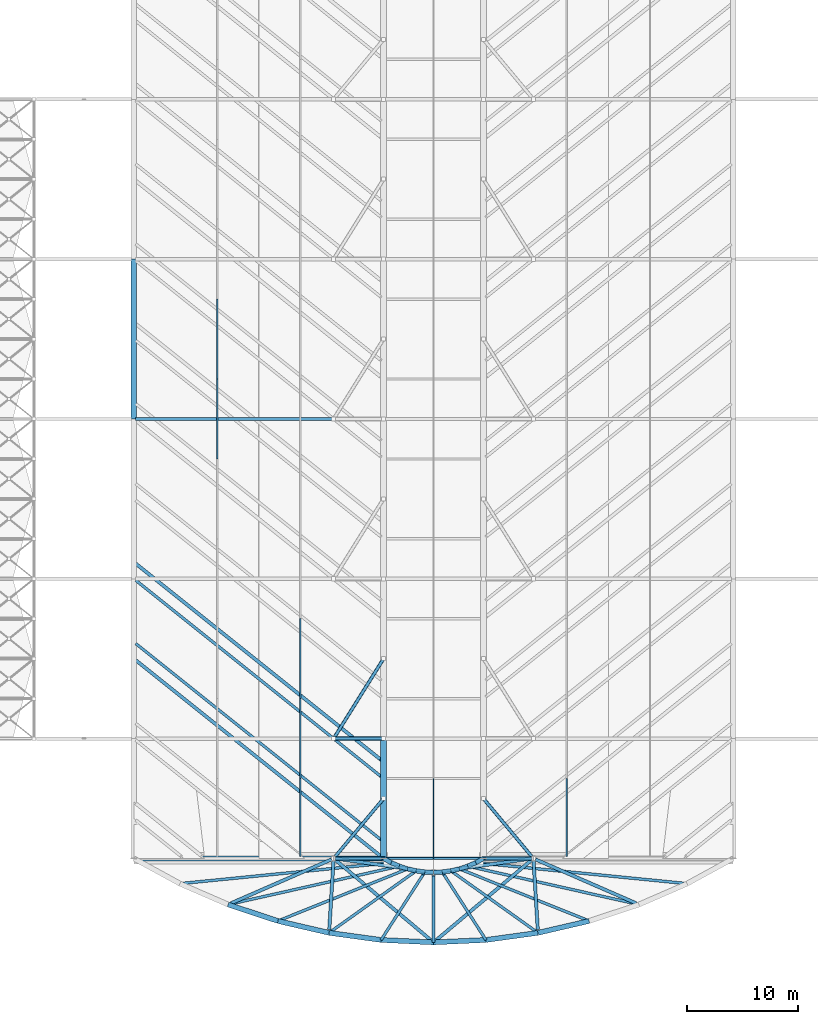
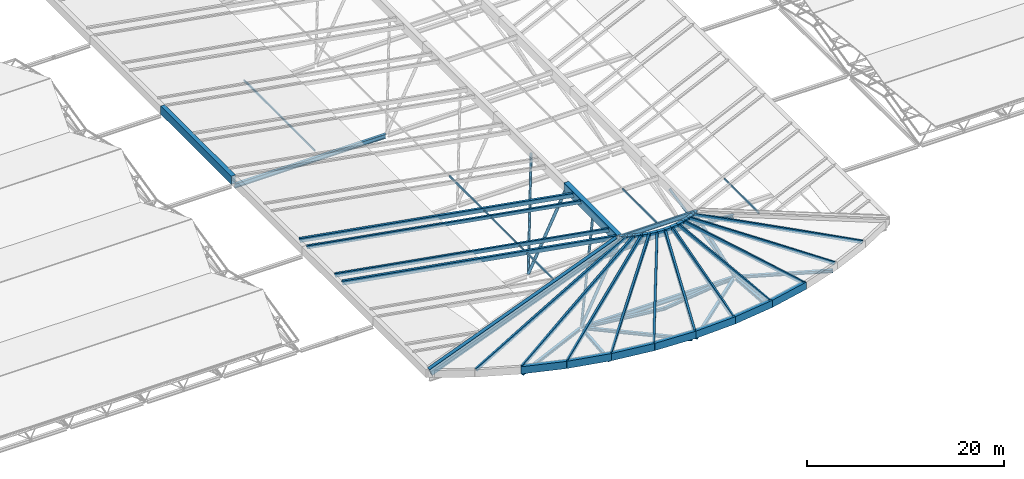
# One storey, part 21 of 110: 50 beams, 13 members.
"""IFC4 building model written with IfcOpenShell, lengths in metres."""

from ifc_helpers import new_model, si_unit, direction, frame, origin, origin_2d, place, context, subcontext, project, spatial, hollow_rectangle, hollow_circle, i_section, extrude, material, material_profile, profile_set, type_object, element, save


model = new_model("IFC4")

# Units and contexts
model_context = context("Model", 3, precision=1e-05, world=origin(), true_north=direction((0.0, 1.0)))
body_context = subcontext(model_context, "Body", "Model", "MODEL_VIEW")
ifc_project = project(units=[si_unit("LENGTHUNIT", "METRE"), si_unit("AREAUNIT", "SQUARE_METRE"), si_unit("VOLUMEUNIT", "CUBIC_METRE"), si_unit("PLANEANGLEUNIT", "RADIAN"), si_unit("MASSUNIT", "GRAM", prefix="KILO")], contexts=[model_context])

# Site, building, storey
site_placement = place(None, origin())
site = spatial("IfcSite", under=ifc_project, at=site_placement, CompositionType="ELEMENT")
building_placement = place(site_placement, origin())
building = spatial("IfcBuilding", under=site, at=building_placement, Name="Tamarisk Ironworks Central Station", CompositionType="ELEMENT")
storey_placement = place(building_placement, frame((0.0, 0.0, 17.39990234375)))
storey = spatial("IfcBuildingStorey", under=building, at=storey_placement, Name="L03", CompositionType="ELEMENT", Elevation=17.39990234375)

# Beams
ifc_material_1 = material(Name="Painted structural steel S355J2", Category="steel")
ifc_material_profile_1 = material_profile(ifc_material_1, hollow_rectangle(XDim=0.5, YDim=1.0, WallThickness=0.02197265625, at=origin_2d()), Name="BOX 500x1000x22")
ifc_profile_set_1 = profile_set([ifc_material_profile_1], Name="Painted structural steel S355J2")
beam_type_1 = type_object("IfcBeamType", Name="BM-EG01", PredefinedType="USERDEFINED", material=ifc_profile_set_1)
beam_1_placement = place(storey_placement, frame((54.0, 50.39990234375, -1.099853515625), z_axis=(0.0, 1.0, 0.0), x_axis=(-1.0, 0.0, 0.0)))
element("IfcBeam", 1, at=beam_1_placement, inside=storey, type_object=beam_type_1, Name="Concourse straight white eave girder W-004", ObjectType="TRANSFER GIRDER", PredefinedType="USERDEFINED", context=body_context, shape_type="SweptSolid", body=[
    extrude(hollow_rectangle(XDim=0.5, YDim=1.0, WallThickness=0.02197265625, at=origin_2d()), origin(), (0.0, 0.0, 1.0), 14.400146484375),
])
ifc_material_profile_2 = material_profile(ifc_material_1, hollow_rectangle(XDim=0.300048828125, YDim=0.5, WallThickness=0.02001953125, at=origin_2d()), Name="RHS 500x300x20")
ifc_profile_set_2 = profile_set([ifc_material_profile_2], Name="Painted structural steel S355J2")
beam_type_2 = type_object("IfcBeamType", Name="BM-FR01", PredefinedType="USERDEFINED", material=ifc_profile_set_2)
for number, where, z_axis, x_axis, name in (
    (2, (76.25, 11.0, 7.873291015625), (-0.746812720906, 0.597456799313, -0.292089254932), (-0.624699269839, -0.780865431597, 0.0), "Concourse paired 45-degree white fishbone roof rib 0121"),
    (3, (76.25, 19.699951171875, 7.873291015625), (-0.746812720906, 0.597456799313, -0.292089254932), (-0.624699269839, -0.780865431597, 0.0), "Concourse paired 45-degree white fishbone roof rib 0127"),
):
    element("IfcBeam", number, at=place(storey_placement, frame(where, z_axis=z_axis, x_axis=x_axis)), inside=storey, type_object=beam_type_2, Name=name, ObjectType="FISHBONE ROOF RIB", PredefinedType="USERDEFINED", context=body_context, shape_type="SweptSolid", body=[
        extrude(hollow_rectangle(XDim=0.300048828125, YDim=0.5, WallThickness=0.02001953125, at=origin_2d()), origin(), (0.0, 0.0, 1.0), 29.491943359375),
    ])
ifc_material_profile_3 = material_profile(ifc_material_1, hollow_rectangle(XDim=0.25, YDim=0.449951171875, WallThickness=0.01611328125, at=origin_2d()), Name="RHS 450x250x16")
ifc_profile_set_3 = profile_set([ifc_material_profile_3], Name="Painted structural steel S355J2")
beam_type_3 = type_object("IfcBeamType", Name="BM-FR02", PredefinedType="USERDEFINED", material=ifc_profile_set_3)
beam_2_placement = place(storey_placement, frame((76.25, 12.5, 7.897216796875), z_axis=(-0.746812720906, 0.597456799313, -0.292089254932), x_axis=(-0.624699269839, -0.780865431597, 0.0)))
element("IfcBeam", 4, at=beam_2_placement, inside=storey, type_object=beam_type_3, Name="Concourse paired 45-degree white fishbone roof rib 0123", ObjectType="FISHBONE ROOF RIB", PredefinedType="USERDEFINED", context=body_context, shape_type="SweptSolid", body=[
    extrude(hollow_rectangle(XDim=0.25, YDim=0.449951171875, WallThickness=0.01611328125, at=origin_2d()), origin(), (0.0, 0.0, 1.0), 29.491943359375),
])
ifc_material_profile_4 = material_profile(ifc_material_1, hollow_rectangle(XDim=0.25, YDim=0.39990234375, WallThickness=0.01611328125, at=origin_2d()), Name="RHS 400x250x16")
ifc_profile_set_4 = profile_set([ifc_material_profile_4], Name="Painted structural steel S355J2")
beam_type_4 = type_object("IfcBeamType", Name="BM-FR03", PredefinedType="USERDEFINED", material=ifc_profile_set_4)
beam_3_placement = place(storey_placement, frame((76.25, 18.199951171875, 7.9208984375), z_axis=(-0.746814526668, 0.597458243939, -0.292081682936), x_axis=(-0.624699269839, -0.780865431597, 0.0)))
element("IfcBeam", 5, at=beam_3_placement, inside=storey, type_object=beam_type_4, Name="Concourse paired 45-degree white fishbone roof rib 0125", ObjectType="FISHBONE ROOF RIB", PredefinedType="USERDEFINED", context=body_context, shape_type="SweptSolid", body=[
    extrude(hollow_rectangle(XDim=0.25, YDim=0.39990234375, WallThickness=0.01611328125, at=origin_2d()), origin(), (0.0, 0.0, 1.0), 29.49169921875),
])
beam_4_placement = place(storey_placement, frame((77.04248046875, 10.406982421875, 7.97998046875), z_axis=(-0.901565860441, -0.089542413164, -0.423274326569), x_axis=(0.098832514368, -0.995104082046, 0.0)))
element("IfcBeam", 6, at=beam_4_placement, inside=storey, type_object=beam_type_4, Name="SOUTH rounded nose radial white rib 02", ObjectType="FISHBONE ROOF RIB", PredefinedType="USERDEFINED", context=body_context, shape_type="SweptSolid", body=[
    extrude(hollow_rectangle(XDim=0.25, YDim=0.39990234375, WallThickness=0.01611328125, at=origin_2d()), origin(), (0.0, 0.0, 1.0), 20.789794921875),
])
beam_5_placement = place(storey_placement, frame((77.768310546875, 10.0751953125, 7.97998046875), z_axis=(-0.848656875384, -0.190391586821, -0.493490173693), x_axis=(0.218903462563, -0.975746521428, 0.0)))
element("IfcBeam", 7, at=beam_5_placement, inside=storey, type_object=beam_type_4, Name="SOUTH rounded nose radial white rib 03", ObjectType="FISHBONE ROOF RIB", PredefinedType="USERDEFINED", context=body_context, shape_type="SweptSolid", body=[
    extrude(hollow_rectangle(XDim=0.25, YDim=0.39990234375, WallThickness=0.01611328125, at=origin_2d()), origin(), (0.0, 0.0, 1.0), 17.831787109375),
])
beam_6_placement = place(storey_placement, frame((78.5244140625, 9.80517578125, 7.97998046875), z_axis=(-0.75444737931, -0.30317117137, -0.582148084857), x_axis=(0.372866304378, -0.927885078584, 0.0)))
element("IfcBeam", 8, at=beam_6_placement, inside=storey, type_object=beam_type_4, Name="SOUTH rounded nose radial white rib 04", ObjectType="FISHBONE ROOF RIB", PredefinedType="USERDEFINED", context=body_context, shape_type="SweptSolid", body=[
    extrude(hollow_rectangle(XDim=0.25, YDim=0.39990234375, WallThickness=0.01611328125, at=origin_2d()), origin(), (0.0, 0.0, 1.0), 15.1162109375),
])
beam_7_placement = place(storey_placement, frame((79.309326171875, 9.59619140625, 7.97998046875), z_axis=(-0.59253869898, -0.421852064562, -0.686249754708), x_axis=(0.579972220378, -0.814636252318, 0.0)))
element("IfcBeam", 9, at=beam_7_placement, inside=storey, type_object=beam_type_4, Name="SOUTH rounded nose radial white rib 05", ObjectType="FISHBONE ROOF RIB", PredefinedType="USERDEFINED", context=body_context, shape_type="SweptSolid", body=[
    extrude(hollow_rectangle(XDim=0.25, YDim=0.39990234375, WallThickness=0.01611328125, at=origin_2d()), origin(), (0.0, 0.0, 1.0), 12.822998046875),
])
beam_8_placement = place(storey_placement, frame((80.13134765625, 9.449951171875, 7.97998046875), z_axis=(-0.336159524623, -0.522489686012, -0.783582351777), x_axis=(0.84097832375, -0.541068811689, 0.0)))
element("IfcBeam", 10, at=beam_8_placement, inside=storey, type_object=beam_type_4, Name="SOUTH rounded nose radial white rib 06", ObjectType="FISHBONE ROOF RIB", PredefinedType="USERDEFINED", context=body_context, shape_type="SweptSolid", body=[
    extrude(hollow_rectangle(XDim=0.25, YDim=0.39990234375, WallThickness=0.01611328125, at=origin_2d()), origin(), (0.0, 0.0, 1.0), 11.230224609375),
])
beam_9_placement = place(storey_placement, frame((81.0, 9.39013671875, 7.97998046875), z_axis=(0.0, -0.563282763442, -0.826264200126), x_axis=(1.0, 0.0, 0.0)))
element("IfcBeam", 11, at=beam_9_placement, inside=storey, type_object=beam_type_4, Name="SOUTH rounded nose radial white rib 07", ObjectType="FISHBONE ROOF RIB", PredefinedType="USERDEFINED", context=body_context, shape_type="SweptSolid", body=[
    extrude(hollow_rectangle(XDim=0.25, YDim=0.39990234375, WallThickness=0.01611328125, at=origin_2d()), origin(), (0.0, 0.0, 1.0), 10.650146484375),
])
beam_10_placement = place(storey_placement, frame((81.86865234375, 9.449951171875, 7.97998046875), z_axis=(0.336159524623, -0.522489686012, -0.783582351777), x_axis=(0.84097832375, 0.541068811689, 0.0)))
element("IfcBeam", 12, at=beam_10_placement, inside=storey, type_object=beam_type_4, Name="SOUTH rounded nose radial white rib 08", ObjectType="FISHBONE ROOF RIB", PredefinedType="USERDEFINED", context=body_context, shape_type="SweptSolid", body=[
    extrude(hollow_rectangle(XDim=0.25, YDim=0.39990234375, WallThickness=0.01611328125, at=origin_2d()), origin(), (0.0, 0.0, 1.0), 11.230224609375),
])
beam_11_placement = place(storey_placement, frame((82.690673828125, 9.59619140625, 7.97998046875), z_axis=(0.59253869898, -0.421852064562, -0.686249754708), x_axis=(0.579972220378, 0.814636252318, 0.0)))
element("IfcBeam", 13, at=beam_11_placement, inside=storey, type_object=beam_type_4, Name="SOUTH rounded nose radial white rib 09", ObjectType="FISHBONE ROOF RIB", PredefinedType="USERDEFINED", context=body_context, shape_type="SweptSolid", body=[
    extrude(hollow_rectangle(XDim=0.25, YDim=0.39990234375, WallThickness=0.01611328125, at=origin_2d()), origin(), (0.0, 0.0, 1.0), 12.822998046875),
])
beam_12_placement = place(storey_placement, frame((83.4755859375, 9.80517578125, 7.97998046875), z_axis=(0.75444737931, -0.30317117137, -0.582148084857), x_axis=(0.372866304378, 0.927885078584, 0.0)))
element("IfcBeam", 14, at=beam_12_placement, inside=storey, type_object=beam_type_4, Name="SOUTH rounded nose radial white rib 10", ObjectType="FISHBONE ROOF RIB", PredefinedType="USERDEFINED", context=body_context, shape_type="SweptSolid", body=[
    extrude(hollow_rectangle(XDim=0.25, YDim=0.39990234375, WallThickness=0.01611328125, at=origin_2d()), origin(), (0.0, 0.0, 1.0), 15.1162109375),
])
beam_13_placement = place(storey_placement, frame((84.231689453125, 10.0751953125, 7.97998046875), z_axis=(0.848656875384, -0.190391586821, -0.493490173693), x_axis=(0.218903462563, 0.975746521428, 0.0)))
element("IfcBeam", 15, at=beam_13_placement, inside=storey, type_object=beam_type_4, Name="SOUTH rounded nose radial white rib 11", ObjectType="FISHBONE ROOF RIB", PredefinedType="USERDEFINED", context=body_context, shape_type="SweptSolid", body=[
    extrude(hollow_rectangle(XDim=0.25, YDim=0.39990234375, WallThickness=0.01611328125, at=origin_2d()), origin(), (0.0, 0.0, 1.0), 17.831787109375),
])
beam_14_placement = place(storey_placement, frame((84.95751953125, 10.406982421875, 7.97998046875), z_axis=(0.901565860441, -0.089542413164, -0.423274326569), x_axis=(0.098832514368, 0.995104082046, 0.0)))
element("IfcBeam", 16, at=beam_14_placement, inside=storey, type_object=beam_type_4, Name="SOUTH rounded nose radial white rib 12", ObjectType="FISHBONE ROOF RIB", PredefinedType="USERDEFINED", context=body_context, shape_type="SweptSolid", body=[
    extrude(hollow_rectangle(XDim=0.25, YDim=0.39990234375, WallThickness=0.01611328125, at=origin_2d()), origin(), (0.0, 0.0, 1.0), 20.789794921875),
])
ifc_material_profile_5 = material_profile(ifc_material_1, i_section(OverallWidth=0.2099609375, OverallDepth=0.550048828125, WebThickness=0.010986328125, FlangeThickness=0.01708984375, at=origin_2d()), Name="IPE 550")
ifc_profile_set_5 = profile_set([ifc_material_profile_5], Name="Painted structural steel S355J2")
beam_type_5 = type_object("IfcBeamType", Name="BM-FR04", PredefinedType="USERDEFINED", material=ifc_profile_set_5)
beam_15_placement = place(storey_placement, frame((76.7548828125, 10.800048828125, 7.85009765625), z_axis=(1.0, 0.0, 0.0), x_axis=(0.0, 1.0, 0.0)))
element("IfcBeam", 17, at=beam_15_placement, inside=storey, type_object=beam_type_5, Name="Central glazed spine transverse rib 094", ObjectType="FISHBONE ROOF RIB", PredefinedType="USERDEFINED", context=body_context, shape_type="SweptSolid", body=[
    extrude(i_section(OverallWidth=0.2099609375, OverallDepth=0.550048828125, WebThickness=0.010986328125, FlangeThickness=0.01708984375, at=origin_2d()), origin(), (0.0, 0.0, 1.0), 8.490234375),
])
ifc_material_2 = material(Name="Structural steel S355J2", Category="steel")
ifc_material_profile_6 = material_profile(ifc_material_2, i_section(OverallWidth=0.300048828125, OverallDepth=0.5400390625, WebThickness=0.012451171875, FlangeThickness=0.02392578125, at=origin_2d()), Name="HEA 550")
ifc_profile_set_6 = profile_set([ifc_material_profile_6], Name="Structural steel S355J2")
beam_type_6 = type_object("IfcBeamType", Name="BM-G04", PredefinedType="BEAM", material=ifc_profile_set_6)
for number, where, z_axis, x_axis, name in (
    (18, (72.139892578125, 10.800048828125, -1.869873046875), (1.0, 0.0, 0.0), (0.0, 1.0, 0.0), "Concourse roof portal tie girder 018"),
    (19, (54.139892578125, 50.39990234375, -1.869873046875), (1.0, 0.0, 0.0), (0.0, 1.0, 0.0), "Concourse roof portal tie girder 026"),
):
    element("IfcBeam", number, at=place(storey_placement, frame(where, z_axis=z_axis, x_axis=x_axis)), inside=storey, type_object=beam_type_6, Name=name, PredefinedType="BEAM", context=body_context, shape_type="SweptSolid", body=[
        extrude(i_section(OverallWidth=0.300048828125, OverallDepth=0.5400390625, WebThickness=0.012451171875, FlangeThickness=0.02392578125, at=origin_2d()), origin(), (0.0, 0.0, 1.0), 17.72021484375),
    ])
ifc_material_profile_7 = material_profile(ifc_material_2, i_section(OverallWidth=0.300048828125, OverallDepth=0.35009765625, WebThickness=0.010009765625, FlangeThickness=0.017578125, at=origin_2d()), Name="HEA 360")
ifc_profile_set_7 = profile_set([ifc_material_profile_7], Name="Structural steel S355J2")
beam_type_7 = type_object("IfcBeamType", Name="BM-G08", PredefinedType="BEAM", material=ifc_profile_set_7)
for number, where, z_axis, x_axis, name in (
    (20, (72.139892578125, 10.800048828125, -1.77978515625), (0.990038775739, -0.140794966289, 0.0), (0.140794966289, 0.990038775739, 0.0), "SN arch crown tie beam 017"),
    (21, (89.860107421875, 10.800048828125, -1.77978515625), (-0.990038775739, -0.140794966289, 0.0), (0.140794966289, -0.990038775739, 0.0), "SN arch crown tie beam 018"),
):
    element("IfcBeam", number, at=place(storey_placement, frame(where, z_axis=z_axis, x_axis=x_axis)), inside=storey, type_object=beam_type_7, Name=name, PredefinedType="BEAM", context=body_context, shape_type="SweptSolid", body=[
        extrude(i_section(OverallWidth=0.300048828125, OverallDepth=0.35009765625, WebThickness=0.010009765625, FlangeThickness=0.017578125, at=origin_2d()), origin(), (0.0, 0.0, 1.0), 8.94921875),
    ])
beam_16_placement = place(storey_placement, frame((71.79833984375, 10.7119140625, -1.77978515625), z_axis=(-0.916462396837, -0.400120825731, 0.0), x_axis=(0.400120825731, -0.916462396837, 0.0)))
element("IfcBeam", 22, at=beam_16_placement, inside=storey, type_object=beam_type_7, Name="SN nose radial tie beam 019", PredefinedType="BEAM", context=body_context, shape_type="SweptSolid", body=[
    extrude(i_section(OverallWidth=0.300048828125, OverallDepth=0.35009765625, WebThickness=0.010009765625, FlangeThickness=0.017578125, at=origin_2d()), origin(), (0.0, 0.0, 1.0), 9.873046875),
])
beam_17_placement = place(storey_placement, frame((71.986572265625, 10.580322265625, -1.77978515625), z_axis=(-0.061232401319, -0.998123535956, 0.0), x_axis=(0.998123535956, -0.061232401319, 0.0)))
element("IfcBeam", 23, at=beam_17_placement, inside=storey, type_object=beam_type_7, Name="SN nose radial tie beam 020", PredefinedType="BEAM", context=body_context, shape_type="SweptSolid", body=[
    extrude(i_section(OverallWidth=0.300048828125, OverallDepth=0.35009765625, WebThickness=0.010009765625, FlangeThickness=0.017578125, at=origin_2d()), origin(), (0.0, 0.0, 1.0), 6.2080078125),
])
for number, where, z_axis, x_axis, name in (
    (24, (72.16845703125, 10.658447265625, -1.77978515625), (0.765749759134, -0.643138636987, 0.0), (0.643138636987, 0.765749759134, 0.0), "SN nose radial tie beam 021"),
    (25, (89.83154296875, 10.658447265625, -1.77978515625), (-0.765749759134, -0.643138636987, 0.0), (0.643138636987, -0.765749759134, 0.0), "SN nose radial tie beam 022"),
):
    element("IfcBeam", number, at=place(storey_placement, frame(where, z_axis=z_axis, x_axis=x_axis)), inside=storey, type_object=beam_type_7, Name=name, PredefinedType="BEAM", context=body_context, shape_type="SweptSolid", body=[
        extrude(i_section(OverallWidth=0.300048828125, OverallDepth=0.35009765625, WebThickness=0.010009765625, FlangeThickness=0.017578125, at=origin_2d()), origin(), (0.0, 0.0, 1.0), 11.248046875),
    ])
beam_18_placement = place(storey_placement, frame((90.013427734375, 10.580322265625, -1.77978515625), z_axis=(0.061232401319, -0.998123535956, 0.0), x_axis=(0.998123535956, 0.061232401319, 0.0)))
element("IfcBeam", 26, at=beam_18_placement, inside=storey, type_object=beam_type_7, Name="SN nose radial tie beam 023", PredefinedType="BEAM", context=body_context, shape_type="SweptSolid", body=[
    extrude(i_section(OverallWidth=0.300048828125, OverallDepth=0.35009765625, WebThickness=0.010009765625, FlangeThickness=0.017578125, at=origin_2d()), origin(), (0.0, 0.0, 1.0), 6.2080078125),
])
beam_19_placement = place(storey_placement, frame((90.20166015625, 10.7119140625, -1.77978515625), z_axis=(0.916462396837, -0.400120825731, 0.0), x_axis=(0.400120825731, 0.916462396837, 0.0)))
element("IfcBeam", 27, at=beam_19_placement, inside=storey, type_object=beam_type_7, Name="SN nose radial tie beam 024", PredefinedType="BEAM", context=body_context, shape_type="SweptSolid", body=[
    extrude(i_section(OverallWidth=0.300048828125, OverallDepth=0.35009765625, WebThickness=0.010009765625, FlangeThickness=0.017578125, at=origin_2d()), origin(), (0.0, 0.0, 1.0), 9.873046875),
])
for number, where, z_axis, x_axis, name in (
    (28, (72.139892578125, 10.800048828125, 5.900146484375), (0.972245396979, -0.138264542002, 0.188737395545), (0.140794966289, 0.990038775739, 0.0), "SOUTH rounded nose upper crown tie beam 177"),
    (29, (89.860107421875, 10.800048828125, 5.900146484375), (-0.972245396979, -0.138264542002, 0.188737395545), (0.140794966289, -0.990038775739, 0.0), "SOUTH rounded nose upper crown tie beam 178"),
):
    element("IfcBeam", number, at=place(storey_placement, frame(where, z_axis=z_axis, x_axis=x_axis)), inside=storey, type_object=beam_type_7, Name=name, PredefinedType="BEAM", context=body_context, shape_type="SweptSolid", body=[
        extrude(i_section(OverallWidth=0.300048828125, OverallDepth=0.35009765625, WebThickness=0.010009765625, FlangeThickness=0.017578125, at=origin_2d()), origin(), (0.0, 0.0, 1.0), 9.113037109375),
    ])
ifc_material_profile_8 = material_profile(ifc_material_1, hollow_rectangle(XDim=0.449951171875, YDim=0.89990234375, WallThickness=0.02001953125, at=origin_2d()), Name="BOX 450x900x20")
ifc_profile_set_8 = profile_set([ifc_material_profile_8], Name="Painted structural steel S355J2")
beam_type_8 = type_object("IfcBeamType", Name="BM-RG01", PredefinedType="USERDEFINED", material=ifc_profile_set_8)
beam_20_placement = place(storey_placement, frame((76.25, 10.800048828125, 7.622314453125), z_axis=(-0.931302777386, 0.0, -0.364245983963), x_axis=(0.0, -1.0, 0.0)))
element("IfcBeam", 30, at=beam_20_placement, inside=storey, type_object=beam_type_8, Name="Concourse trunk portal raking girder 109", ObjectType="TRANSFER GIRDER", PredefinedType="USERDEFINED", context=body_context, shape_type="SweptSolid", body=[
    extrude(hollow_rectangle(XDim=0.449951171875, YDim=0.89990234375, WallThickness=0.02001953125, at=origin_2d()), origin(), (0.0, 0.0, 1.0), 23.649658203125),
])
for number, where, z_axis, x_axis, name in (
    (31, (62.48876953125, 6.6474609375, -1.079833984375), (0.949705420839, -0.313144716752, 0.0), (0.313144716752, 0.949705420839, 0.0), "SOUTH rounded nose outer ring beam 03"),
    (32, (66.98095703125, 5.166259765625, -1.079833984375), (0.974241353201, -0.225507839583, 0.0), (0.225507839583, 0.974241353201, 0.0), "SOUTH rounded nose outer ring beam 04"),
):
    element("IfcBeam", number, at=place(storey_placement, frame(where, z_axis=z_axis, x_axis=x_axis)), inside=storey, type_object=beam_type_8, Name=name, ObjectType="TRANSFER GIRDER", PredefinedType="USERDEFINED", context=body_context, shape_type="SweptSolid", body=[
        extrude(hollow_rectangle(XDim=0.449951171875, YDim=0.89990234375, WallThickness=0.02001953125, at=origin_2d()), origin(), (0.0, 0.0, 1.0), 4.72998046875),
    ])
beam_21_placement = place(storey_placement, frame((71.589111328125, 4.099609375, -1.079833984375), z_axis=(0.990699986354, -0.136064459127, 0.0), x_axis=(0.136064459127, 0.990699986354, 0.0)))
element("IfcBeam", 33, at=beam_21_placement, inside=storey, type_object=beam_type_8, Name="SOUTH rounded nose outer ring beam 05", ObjectType="TRANSFER GIRDER", PredefinedType="USERDEFINED", context=body_context, shape_type="SweptSolid", body=[
    extrude(hollow_rectangle(XDim=0.449951171875, YDim=0.89990234375, WallThickness=0.02001953125, at=origin_2d()), origin(), (0.0, 0.0, 1.0), 4.729736328125),
])
for number, where, z_axis, x_axis, name in (
    (34, (76.27490234375, 3.4560546875, -1.079833984375), (0.998965558198, -0.045473217773, 0.0), (0.045473217773, 0.998965558198, 0.0), "SOUTH rounded nose outer ring beam 06"),
    (35, (81.0, 3.240966796875, -1.079833984375), (0.998965558198, 0.045473217773, 0.0), (-0.045473217773, 0.998965558198, 0.0), "SOUTH rounded nose outer ring beam 07"),
):
    element("IfcBeam", number, at=place(storey_placement, frame(where, z_axis=z_axis, x_axis=x_axis)), inside=storey, type_object=beam_type_8, Name=name, ObjectType="TRANSFER GIRDER", PredefinedType="USERDEFINED", context=body_context, shape_type="SweptSolid", body=[
        extrude(hollow_rectangle(XDim=0.449951171875, YDim=0.89990234375, WallThickness=0.02001953125, at=origin_2d()), origin(), (0.0, 0.0, 1.0), 4.72998046875),
    ])
beam_22_placement = place(storey_placement, frame((85.72509765625, 3.4560546875, -1.079833984375), z_axis=(0.990699986354, 0.136064459127, 0.0), x_axis=(-0.136064459127, 0.990699986354, 0.0)))
element("IfcBeam", 36, at=beam_22_placement, inside=storey, type_object=beam_type_8, Name="SOUTH rounded nose outer ring beam 08", ObjectType="TRANSFER GIRDER", PredefinedType="USERDEFINED", context=body_context, shape_type="SweptSolid", body=[
    extrude(hollow_rectangle(XDim=0.449951171875, YDim=0.89990234375, WallThickness=0.02001953125, at=origin_2d()), origin(), (0.0, 0.0, 1.0), 4.729736328125),
])
beam_23_placement = place(storey_placement, frame((90.410888671875, 4.099609375, -1.079833984375), z_axis=(0.974241353201, 0.225507839583, 0.0), x_axis=(-0.225507839583, 0.974241353201, 0.0)))
element("IfcBeam", 37, at=beam_23_placement, inside=storey, type_object=beam_type_8, Name="SOUTH rounded nose outer ring beam 09", ObjectType="TRANSFER GIRDER", PredefinedType="USERDEFINED", context=body_context, shape_type="SweptSolid", body=[
    extrude(hollow_rectangle(XDim=0.449951171875, YDim=0.89990234375, WallThickness=0.02001953125, at=origin_2d()), origin(), (0.0, 0.0, 1.0), 4.72998046875),
])
ifc_material_profile_9 = material_profile(ifc_material_1, hollow_rectangle(XDim=0.39990234375, YDim=0.800048828125, WallThickness=0.01806640625, at=origin_2d()), Name="BOX 400x800x18")
ifc_profile_set_9 = profile_set([ifc_material_profile_9], Name="Painted structural steel S355J2")
beam_type_9 = type_object("IfcBeamType", Name="BM-RG02", PredefinedType="USERDEFINED", material=ifc_profile_set_9)
for number, where, z_axis, x_axis, name in (
    (38, (76.5, 10.800048828125, 7.72021484375), (0.877279463789, -0.479979939595, 0.0), (0.479979939595, 0.877279463789, 0.0), "SOUTH rounded nose inner arch ring 01"),
    (39, (77.191650390625, 10.421630859375, 7.72021484375), (0.917389820929, -0.397989844664, 0.0), (0.397989844664, 0.917389820929, 0.0), "SOUTH rounded nose inner arch ring 02"),
    (40, (77.914794921875, 10.10791015625, 7.72021484375), (0.949730888077, -0.313067469138, 0.0), (0.313067469138, 0.949730888077, 0.0), "SOUTH rounded nose inner arch ring 03"),
):
    element("IfcBeam", number, at=place(storey_placement, frame(where, z_axis=z_axis, x_axis=x_axis)), inside=storey, type_object=beam_type_9, Name=name, ObjectType="TRANSFER GIRDER", PredefinedType="USERDEFINED", context=body_context, shape_type="SweptSolid", body=[
        extrude(hollow_rectangle(XDim=0.39990234375, YDim=0.800048828125, WallThickness=0.01806640625, at=origin_2d()), origin(), (0.0, 0.0, 1.0), 0.788330078125),
    ])
beam_24_placement = place(storey_placement, frame((78.66357421875, 9.861083984375, 7.72021484375), z_axis=(0.974239568362, -0.225515550324, 0.0), x_axis=(0.225515550324, 0.974239568362, 0.0)))
element("IfcBeam", 41, at=beam_24_placement, inside=storey, type_object=beam_type_9, Name="SOUTH rounded nose inner arch ring 04", ObjectType="TRANSFER GIRDER", PredefinedType="USERDEFINED", context=body_context, shape_type="SweptSolid", body=[
    extrude(hollow_rectangle(XDim=0.39990234375, YDim=0.800048828125, WallThickness=0.01806640625, at=origin_2d()), origin(), (0.0, 0.0, 1.0), 0.7880859375),
])
for number, where, z_axis, x_axis, name in (
    (42, (79.431396484375, 9.683349609375, 7.72021484375), (0.990673092677, -0.136260131534, 0.0), (0.136260131534, 0.990673092677, 0.0), "SOUTH rounded nose inner arch ring 05"),
    (43, (80.21240234375, 9.575927734375, 7.72021484375), (0.998977459621, -0.045211007162, 0.0), (0.045211007162, 0.998977459621, 0.0), "SOUTH rounded nose inner arch ring 06"),
    (44, (81.0, 9.540283203125, 7.72021484375), (0.998977459621, 0.045211007162, 0.0), (-0.045211007162, 0.998977459621, 0.0), "SOUTH rounded nose inner arch ring 07"),
    (45, (81.78759765625, 9.575927734375, 7.72021484375), (0.990673092677, 0.136260131534, 0.0), (-0.136260131534, 0.990673092677, 0.0), "SOUTH rounded nose inner arch ring 08"),
):
    element("IfcBeam", number, at=place(storey_placement, frame(where, z_axis=z_axis, x_axis=x_axis)), inside=storey, type_object=beam_type_9, Name=name, ObjectType="TRANSFER GIRDER", PredefinedType="USERDEFINED", context=body_context, shape_type="SweptSolid", body=[
        extrude(hollow_rectangle(XDim=0.39990234375, YDim=0.800048828125, WallThickness=0.01806640625, at=origin_2d()), origin(), (0.0, 0.0, 1.0), 0.788330078125),
    ])
beam_25_placement = place(storey_placement, frame((82.568603515625, 9.683349609375, 7.72021484375), z_axis=(0.974239568362, 0.225515550324, 0.0), x_axis=(-0.225515550324, 0.974239568362, 0.0)))
element("IfcBeam", 46, at=beam_25_placement, inside=storey, type_object=beam_type_9, Name="SOUTH rounded nose inner arch ring 09", ObjectType="TRANSFER GIRDER", PredefinedType="USERDEFINED", context=body_context, shape_type="SweptSolid", body=[
    extrude(hollow_rectangle(XDim=0.39990234375, YDim=0.800048828125, WallThickness=0.01806640625, at=origin_2d()), origin(), (0.0, 0.0, 1.0), 0.7880859375),
])
for number, where, z_axis, x_axis, name in (
    (47, (83.33642578125, 9.861083984375, 7.72021484375), (0.949730888077, 0.313067469138, 0.0), (-0.313067469138, 0.949730888077, 0.0), "SOUTH rounded nose inner arch ring 10"),
    (48, (84.085205078125, 10.10791015625, 7.72021484375), (0.917389820929, 0.397989844664, 0.0), (-0.397989844664, 0.917389820929, 0.0), "SOUTH rounded nose inner arch ring 11"),
    (49, (84.808349609375, 10.421630859375, 7.72021484375), (0.877279463789, 0.479979939595, 0.0), (-0.479979939595, 0.877279463789, 0.0), "SOUTH rounded nose inner arch ring 12"),
):
    element("IfcBeam", number, at=place(storey_placement, frame(where, z_axis=z_axis, x_axis=x_axis)), inside=storey, type_object=beam_type_9, Name=name, ObjectType="TRANSFER GIRDER", PredefinedType="USERDEFINED", context=body_context, shape_type="SweptSolid", body=[
        extrude(hollow_rectangle(XDim=0.39990234375, YDim=0.800048828125, WallThickness=0.01806640625, at=origin_2d()), origin(), (0.0, 0.0, 1.0), 0.788330078125),
    ])
ifc_material_profile_10 = material_profile(ifc_material_1, hollow_rectangle(XDim=0.550048828125, YDim=1.10009765625, WallThickness=0.02392578125, at=origin_2d()), Name="BOX 550x1100x24")
ifc_profile_set_10 = profile_set([ifc_material_profile_10], Name="Painted structural steel S355J2")
beam_type_10 = type_object("IfcBeamType", Name="BM-SG01", PredefinedType="USERDEFINED", material=ifc_profile_set_10)
beam_26_placement = place(storey_placement, frame((76.5, 10.800048828125, 7.650146484375), z_axis=(0.0, 1.0, 0.0), x_axis=(-1.0, 0.0, 0.0)))
element("IfcBeam", 50, at=beam_26_placement, inside=storey, type_object=beam_type_10, Name="Concourse central glazed spine girder W-044", ObjectType="TRANSFER GIRDER", PredefinedType="USERDEFINED", context=body_context, shape_type="SweptSolid", body=[
    extrude(hollow_rectangle(XDim=0.550048828125, YDim=1.10009765625, WallThickness=0.02392578125, at=origin_2d()), origin(), (0.0, 0.0, 1.0), 10.800048828125),
])

# Members
ifc_material_profile_11 = material_profile(ifc_material_1, hollow_rectangle(XDim=0.1201171875, YDim=0.219970703125, WallThickness=0.008056640625, at=origin_2d()), Name="RHS 220x120x8")
ifc_profile_set_11 = profile_set([ifc_material_profile_11], Name="Painted structural steel S355J2")
member_type_1 = type_object("IfcMemberType", Name="MB-PR01", PredefinedType="PURLIN", material=ifc_profile_set_11)
member_1_placement = place(storey_placement, frame((81.0, 10.803955078125, 7.97998046875), z_axis=(0.0, 1.0, 0.0), x_axis=(-1.0, 0.0, 0.0)))
element("IfcMember", 51, at=member_1_placement, inside=storey, type_object=member_type_1, Name="Spine skylight purlin 001", PredefinedType="PURLIN", context=body_context, shape_type="SweptSolid", body=[
    extrude(hollow_rectangle(XDim=0.1201171875, YDim=0.219970703125, WallThickness=0.008056640625, at=origin_2d()), origin(), (0.0, 0.0, 1.0), 7.192138671875),
])
member_2_placement = place(storey_placement, frame((69.0, 11.0, 5.002685546875), z_axis=(0.0, 1.0, 0.0), x_axis=(-1.0, 0.0, 0.0)))
element("IfcMember", 52, at=member_2_placement, inside=storey, type_object=member_type_1, Name="Concourse roof glazing purlin 0015", PredefinedType="PURLIN", context=body_context, shape_type="SweptSolid", body=[
    extrude(hollow_rectangle(XDim=0.1201171875, YDim=0.219970703125, WallThickness=0.008056640625, at=origin_2d()), origin(), (0.0, 0.0, 1.0), 7.0),
])
for number, where, z_axis, x_axis, name in (
    (53, (69.0, 18.0, 5.002685546875), (0.0, 1.0, 0.0), (-1.0, 0.0, 0.0), "Concourse roof glazing purlin 0016"),
    (54, (69.0, 25.199951171875, 5.002685546875), (0.0, 1.0, 0.0), (-1.0, 0.0, 0.0), "Concourse roof glazing purlin 0017"),
    (55, (61.5, 46.800048828125, 2.0693359375), (0.0, 1.0, 0.0), (-1.0, 0.0, 0.0), "Concourse roof glazing purlin 0034"),
    (56, (61.5, 54.0, 2.0693359375), (0.0, 1.0, 0.0), (-1.0, 0.0, 0.0), "Concourse roof glazing purlin 0035"),
):
    element("IfcMember", number, at=place(storey_placement, frame(where, z_axis=z_axis, x_axis=x_axis)), inside=storey, type_object=member_type_1, Name=name, PredefinedType="PURLIN", context=body_context, shape_type="SweptSolid", body=[
        extrude(hollow_rectangle(XDim=0.1201171875, YDim=0.219970703125, WallThickness=0.008056640625, at=origin_2d()), origin(), (0.0, 0.0, 1.0), 7.199951171875),
    ])
member_3_placement = place(storey_placement, frame((93.0, 11.0, 5.002685546875), z_axis=(0.0, 1.0, 0.0), x_axis=(-1.0, 0.0, 0.0)))
element("IfcMember", 57, at=member_3_placement, inside=storey, type_object=member_type_1, Name="Concourse roof glazing purlin 0043", PredefinedType="PURLIN", context=body_context, shape_type="SweptSolid", body=[
    extrude(hollow_rectangle(XDim=0.1201171875, YDim=0.219970703125, WallThickness=0.008056640625, at=origin_2d()), origin(), (0.0, 0.0, 1.0), 7.0),
])
ifc_material_profile_12 = material_profile(ifc_material_1, hollow_circle(Radius=0.177734375, WallThickness=0.01611328125, at=origin_2d()), Name="CHS 355.6x16")
ifc_profile_set_12 = profile_set([ifc_material_profile_12], Name="Painted structural steel S355J2")
member_type_2 = type_object("IfcMemberType", Name="MB-VS01", PredefinedType="STRUT", material=ifc_profile_set_12)
for number, where, z_axis, x_axis, name in (
    (58, (72.0, 10.800048828125, -1.639892578125), (0.443657342756, 0.0, 0.896196497549), (0.0, 1.0, 0.0), "Concourse spine V-strut 060"),
    (59, (90.0, 10.800048828125, -1.639892578125), (-0.443657342756, 0.0, 0.896196497549), (0.0, -1.0, 0.0), "Concourse spine V-strut 062"),
    (60, (72.0, 21.60009765625, -1.639892578125), (0.443657342756, 0.0, 0.896196497549), (0.0, 1.0, 0.0), "Concourse spine V-strut 064"),
):
    element("IfcMember", number, at=place(storey_placement, frame(where, z_axis=z_axis, x_axis=x_axis)), inside=storey, type_object=member_type_2, Name=name, PredefinedType="STRUT", context=body_context, shape_type="SweptSolid", body=[
        extrude(hollow_circle(Radius=0.177734375, WallThickness=0.01611328125, at=origin_2d()), origin(), (0.0, 0.0, 1.0), 10.14306640625),
    ])
ifc_material_profile_13 = material_profile(ifc_material_1, hollow_circle(Radius=0.149169921875, WallThickness=0.01416015625, at=origin_2d()), Name="CHS 298.5x14.2")
ifc_profile_set_13 = profile_set([ifc_material_profile_13], Name="Painted structural steel S355J2")
member_type_3 = type_object("IfcMemberType", Name="MB-VS02", PredefinedType="STRUT", material=ifc_profile_set_13)
for number, where, z_axis, x_axis, name in (
    (61, (72.0, 10.800048828125, -1.639892578125), (0.391617406828, 0.469932389552, 0.79107481057), (-0.768215585699, 0.640191232281, 0.0), "Concourse spine diagonal V-strut 061"),
    (62, (90.0, 10.800048828125, -1.639892578125), (-0.391617406828, 0.469932389552, 0.79107481057), (-0.768215585699, -0.640191232281, 0.0), "Concourse spine diagonal V-strut 063"),
):
    element("IfcMember", number, at=place(storey_placement, frame(where, z_axis=z_axis, x_axis=x_axis)), inside=storey, type_object=member_type_3, Name=name, PredefinedType="STRUT", context=body_context, shape_type="SweptSolid", body=[
        extrude(hollow_circle(Radius=0.149169921875, WallThickness=0.01416015625, at=origin_2d()), origin(), (0.0, 0.0, 1.0), 11.49072265625),
    ])
member_4_placement = place(storey_placement, frame((72.0, 21.60009765625, -1.639892578125), z_axis=(0.361776786068, 0.578838932179, 0.73079617381), x_axis=(-0.847996688584, 0.530001524668, 0.0)))
element("IfcMember", 63, at=member_4_placement, inside=storey, type_object=member_type_3, Name="Concourse spine diagonal V-strut 065", PredefinedType="STRUT", context=body_context, shape_type="SweptSolid", body=[
    extrude(hollow_circle(Radius=0.149169921875, WallThickness=0.01416015625, at=origin_2d()), origin(), (0.0, 0.0, 1.0), 12.438720703125),
])

save(model, "model.ifc")
